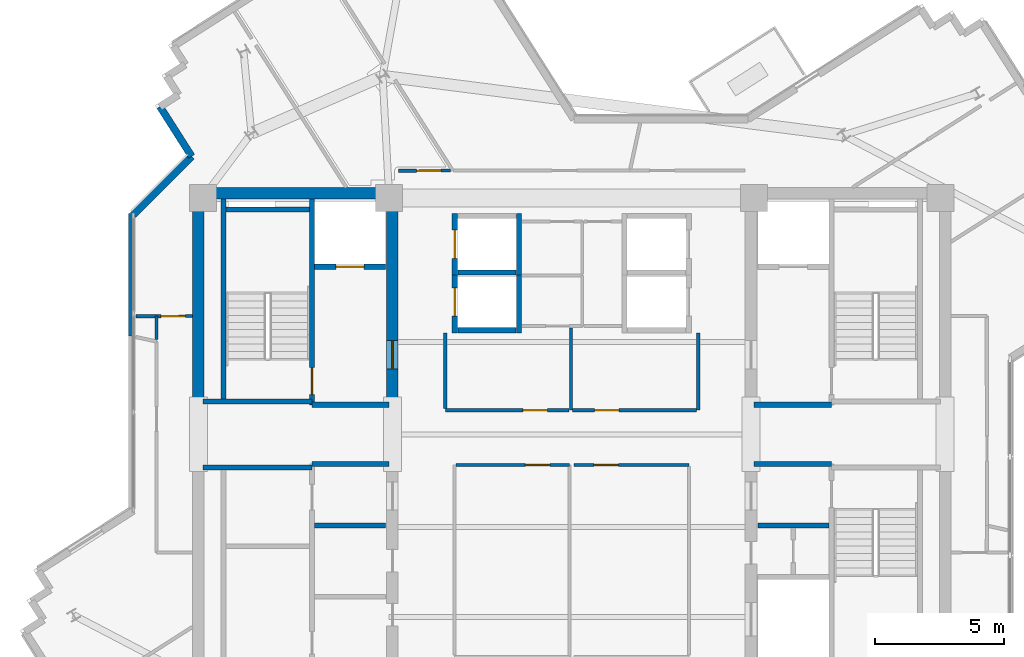
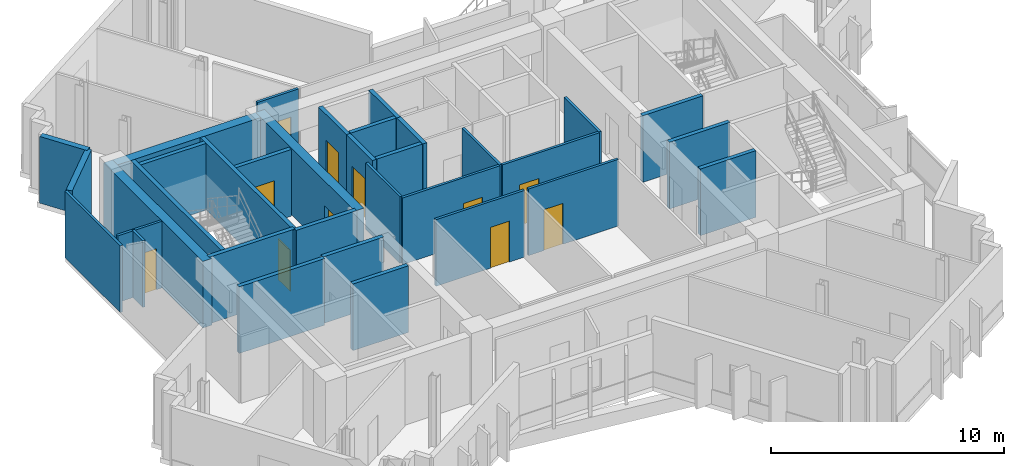
# One storey, part 6 of 12: 34 walls, 11 doors, 11 openings.
"""IFC4 building model written with IfcOpenShell, lengths in metres."""

import ifcopenshell
import ifcopenshell.guid

model = None  # the IFC model being written
_history = None  # IfcOwnerHistory: only IFC2X3 demands one
_inside = {}  # id of a spatial element -> (the spatial element, [elements in it])
_under = {}  # id of a project, library or spatial element -> (it, [spatial elements below it])
_declared = {}  # id of a project -> (the project, [libraries it declares])
_typed = {}  # id of a type object -> (the type object, [elements of that type])
_made_of = {}  # id of a material, layer set ... -> (it, [elements and type objects made of it])


def new_model(schema):
    """Start an empty IFC model of exactly this schema.

    Asked for "IFC4X3", IfcOpenShell would pick the latest addendum, in which some entities
    have other attributes; the version numbers below select the first issue.
    IFC2X3 requires an IfcOwnerHistory on every rooted entity: one is made here for all.
    """
    global model, _history
    if schema == "IFC4X3":
        model = ifcopenshell.file(schema_version=(4, 3, 0, 0))
    else:
        model = ifcopenshell.file(schema=schema)
    _inside.clear()
    _under.clear()
    _declared.clear()
    _typed.clear()
    _made_of.clear()
    _history = None
    if model.schema == "IFC2X3":
        org = make("IfcOrganization", Name="unknown")
        user = make(
            "IfcPersonAndOrganization",
            ThePerson=make("IfcPerson", FamilyName="unknown"),
            TheOrganization=org,
        )
        app = make(
            "IfcApplication",
            ApplicationDeveloper=org,
            Version="unknown",
            ApplicationFullName="unknown",
            ApplicationIdentifier="unknown",
        )
        _history = make(
            "IfcOwnerHistory",
            OwningUser=user,
            OwningApplication=app,
            ChangeAction="ADDED",
            CreationDate=0,
        )
    return model


def make(cls, **values):
    """One entity of the class cls with the attributes given. An attribute that is None is left unset."""
    return model.create_entity(
        cls, **{name: value for name, value in values.items() if value is not None}
    )


def rooted(cls, **values):
    """An entity with a GlobalId (a new one), such as an element, a storey or a relation."""
    return make(cls, GlobalId=ifcopenshell.guid.new(), OwnerHistory=_history, **values)


def si_unit(unit_type, name, prefix=None):
    """IfcSIUnit, for example si_unit("LENGTHUNIT", "METRE", prefix="MILLI")."""
    return make("IfcSIUnit", UnitType=unit_type, Prefix=prefix, Name=name)


def assignment(units):
    """IfcUnitAssignment: the units of a project."""
    return None if units is None else make("IfcUnitAssignment", Units=units)


def point(xyz):
    """IfcCartesianPoint."""
    return None if xyz is None else make("IfcCartesianPoint", Coordinates=xyz)


def direction(xyz):
    """IfcDirection."""
    return None if xyz is None else make("IfcDirection", DirectionRatios=xyz)


def frame(location, z_axis=None, x_axis=None):
    """IfcAxis2Placement3D, a coordinate frame: its origin and axes. An axis left out is left unset."""
    return make(
        "IfcAxis2Placement3D",
        Location=point(location),
        Axis=direction(z_axis),
        RefDirection=direction(x_axis),
    )


def frame_2d(location, x_axis=None):
    """IfcAxis2Placement2D, a coordinate frame in the plane: its origin and x axis."""
    return make(
        "IfcAxis2Placement2D", Location=point(location), RefDirection=direction(x_axis)
    )


def origin():
    """The frame at (0, 0, 0) with its axes left unset."""
    return frame((0.0, 0.0, 0.0))


def place(relative_to, where):
    """IfcLocalPlacement: puts the frame where relative to a parent placement (None: the world)."""
    return make(
        "IfcLocalPlacement", PlacementRelTo=relative_to, RelativePlacement=where
    )


def context(
    kind, dimensions, precision=None, world=None, true_north=None, identifier=None
):
    """IfcGeometricRepresentationContext, for example the 3D "Model" context."""
    return make(
        "IfcGeometricRepresentationContext",
        ContextIdentifier=identifier,
        ContextType=kind,
        CoordinateSpaceDimension=dimensions,
        Precision=precision,
        WorldCoordinateSystem=world,
        TrueNorth=true_north,
    )


def subcontext(parent, identifier, kind, view, scale=None):
    """IfcGeometricRepresentationSubContext, for example "Body" below "Model"."""
    return make(
        "IfcGeometricRepresentationSubContext",
        ContextIdentifier=identifier,
        ContextType=kind,
        ParentContext=parent,
        TargetScale=scale,
        TargetView=view,
    )


def project(units=None, contexts=None):
    """IfcProject with its units and contexts."""
    return rooted(
        "IfcProject",
        Name="project",
        RepresentationContexts=contexts,
        UnitsInContext=assignment(units),
    )


def spatial(cls, under=None, at=None, **own):
    """A site, building, storey or space (cls), placed at a placement, below another one or the project."""
    s = rooted(cls, ObjectPlacement=at, **own)
    if under is not None:
        _under.setdefault(under.id(), (under, []))[1].append(s)
    return s


def profile(cls, at=None, kind="AREA", **sizes):
    """A parametric profile (cls). Its sizes go by their IFC names, for example OverallWidth=200.0."""
    return make(cls, ProfileType=kind, Position=at, **sizes)


def rectangle(**sizes):
    """IfcRectangleProfileDef."""
    return profile("IfcRectangleProfileDef", **sizes)


def extrude(swept, where, along, depth):
    """IfcExtrudedAreaSolid: the profile swept, set in the frame where, extruded along a direction by depth."""
    return make(
        "IfcExtrudedAreaSolid",
        SweptArea=swept,
        Position=where,
        ExtrudedDirection=direction(along),
        Depth=depth,
    )


def shape(context_of_items, identifier, shape_type, items):
    """IfcShapeRepresentation: the items that make up one representation, for example the "Body"."""
    return make(
        "IfcShapeRepresentation",
        ContextOfItems=context_of_items,
        RepresentationIdentifier=identifier,
        RepresentationType=shape_type,
        Items=items,
    )


def source(mapping_origin, context_of_items, identifier, shape_type, items):
    """IfcRepresentationMap: a shape defined once, which mapped items show again and again."""
    return make(
        "IfcRepresentationMap",
        MappingOrigin=mapping_origin,
        MappedRepresentation=shape(context_of_items, identifier, shape_type, items),
    )


def transform(
    local_origin,
    x_axis=None,
    y_axis=None,
    z_axis=None,
    scale=None,
    scale2=None,
    scale3=None,
    uniform=True,
):
    """IfcCartesianTransformationOperator3D, or its non-uniform kind. x_axis, y_axis, z_axis: its Axis1, 2, 3."""
    if uniform:
        return make(
            "IfcCartesianTransformationOperator3D",
            Axis1=direction(x_axis),
            Axis2=direction(y_axis),
            LocalOrigin=point(local_origin),
            Scale=scale,
            Axis3=direction(z_axis),
        )
    return make(
        "IfcCartesianTransformationOperator3DnonUniform",
        Axis1=direction(x_axis),
        Axis2=direction(y_axis),
        LocalOrigin=point(local_origin),
        Scale=scale,
        Axis3=direction(z_axis),
        Scale2=scale2,
        Scale3=scale3,
    )


def mapped(mapping_source, mapping_target):
    """IfcMappedItem: shows the shape of a source again, moved by a transform."""
    return make(
        "IfcMappedItem", MappingSource=mapping_source, MappingTarget=mapping_target
    )


def material(Name=None, Category=None):
    """IfcMaterial."""
    return make("IfcMaterial", Name=Name, Category=Category)


def layer(
    of_material, thickness, ventilated=None, Name=None, Category=None, Priority=None
):
    """IfcMaterialLayer: one layer of a wall or slab, of a material (None: an air gap)."""
    return make(
        "IfcMaterialLayer",
        Material=of_material,
        LayerThickness=thickness,
        IsVentilated=ventilated,
        Name=Name,
        Category=Category,
        Priority=Priority,
    )


def layer_set(layers, Name=None):
    """IfcMaterialLayerSet."""
    return make("IfcMaterialLayerSet", MaterialLayers=layers, LayerSetName=Name)


def made_of(thing, what):
    """Note that an element or type object is made of a material, layer set ...; save() writes the relation."""
    if what is not None:
        _made_of.setdefault(what.id(), (what, []))[1].append(thing)
    return thing


def type_object(cls, material=None, **own):
    """A type object (cls), such as IfcWallType, which elements share."""
    return made_of(rooted(cls, **own), material)


def element(
    cls,
    number,
    at=None,
    inside=None,
    cuts=None,
    type_object=None,
    material=None,
    context=None,
    identifier="Body",
    shape_type=None,
    held_by="IfcProductDefinitionShape",
    body=None,
    shapes=None,
    **own,
):
    """One element of the class cls, such as IfcWall. Its Tag is "e" and its number.

    at: its placement. inside: the storey or other place that contains it. cuts: it is an
    opening in that element (IfcRelVoidsElement). A single representation is given by context,
    identifier, shape_type and body (its items); several are given by shapes. held_by: the class
    of the entity that holds the representations. save() writes the other relations.
    """
    e = rooted(cls, Tag="e%d" % number, ObjectPlacement=at, **own)
    if body is not None:
        shapes = [shape(context, identifier, shape_type, body)]
    if shapes is not None:
        e.Representation = make(held_by, Representations=shapes)
    if inside is not None:
        _inside.setdefault(inside.id(), (inside, []))[1].append(e)
    if cuts is not None:
        rooted(
            "IfcRelVoidsElement", RelatingBuildingElement=cuts, RelatedOpeningElement=e
        )
    if type_object is not None:
        _typed.setdefault(type_object.id(), (type_object, []))[1].append(e)
    return made_of(e, material)


def fill(opening, filler):
    """IfcRelFillsElement: the door or window that sits in an opening."""
    return rooted(
        "IfcRelFillsElement",
        RelatingOpeningElement=opening,
        RelatedBuildingElement=filler,
    )


def aggregate(whole, parts):
    """IfcRelAggregates: a whole, such as a stair, and the parts it consists of."""
    return rooted("IfcRelAggregates", RelatingObject=whole, RelatedObjects=parts)


def save(model, path):
    """Write the relations noted so far, then the file.

    IfcRelAggregates (storeys below a building ...), IfcRelContainedInSpatialStructure (elements
    in a storey), IfcRelDefinesByType, IfcRelAssociatesMaterial and IfcRelDeclares: one each for
    every whole, place, type object, material and project.
    """
    for whole, parts in _under.values():
        aggregate(whole, parts)
    for where, things in _inside.values():
        rooted(
            "IfcRelContainedInSpatialStructure",
            RelatedElements=things,
            RelatingStructure=where,
        )
    for kind, things in _typed.values():
        rooted("IfcRelDefinesByType", RelatedObjects=things, RelatingType=kind)
    for what, things in _made_of.values():
        rooted("IfcRelAssociatesMaterial", RelatedObjects=things, RelatingMaterial=what)
    for by, libraries in _declared.values():
        rooted("IfcRelDeclares", RelatingContext=by, RelatedDefinitions=libraries)
    model.write(path)


model = new_model("IFC4")

# Units and contexts
model_context = context("Model", 3, precision=1e-05, world=origin(), true_north=direction((0.0, 1.0)))
body_context = subcontext(model_context, "Body", "Model", "MODEL_VIEW")
ifc_project = project(units=[si_unit("LENGTHUNIT", "METRE"), si_unit("AREAUNIT", "SQUARE_METRE"), si_unit("VOLUMEUNIT", "CUBIC_METRE"), si_unit("PLANEANGLEUNIT", "RADIAN"), si_unit("MASSUNIT", "GRAM", prefix="KILO")], contexts=[model_context])

# Site, building, storey
site_placement = place(None, origin())
site = spatial("IfcSite", under=ifc_project, at=site_placement, CompositionType="ELEMENT")
building_placement = place(site_placement, origin())
building = spatial("IfcBuilding", under=site, at=building_placement, Name="Zahravan Cultural Tower", CompositionType="ELEMENT")
storey_placement = place(building_placement, frame((0.0, 0.0, 265.35009765625)))
storey = spatial("IfcBuildingStorey", under=building, at=storey_placement, Name="L63", CompositionType="ELEMENT", Elevation=265.35009765625)

# Wall, opening, door
ifc_material_1 = material(Name="Concrete C50/60", Category="concrete")
ifc_layer_1 = layer(ifc_material_1, 0.449951171875)
ifc_layer_set_1 = layer_set([ifc_layer_1], Name="Concrete C50/60")
wall_type_1 = type_object("IfcWallType", Name="CW-SHEAR-450-C50", PredefinedType="SHEAR", material=ifc_layer_set_1)
wall_1_placement = place(storey_placement, frame((29.02490234375, 28.050048828125, 0.0), z_axis=(0.0, 0.0, 1.0), x_axis=(0.0, 1.0, 0.0)))
wall_1 = element("IfcWall", 1, at=wall_1_placement, inside=storey, type_object=wall_type_1, Name="L63 Core Shear Wall CW-W-EN-L63", PredefinedType="SHEAR", context=body_context, shape_type="SweptSolid", body=[
    extrude(rectangle(XDim=8.550048828125, YDim=0.449951171875, at=frame_2d((4.27490234375, 0.0))), origin(), (0.0, 0.0, 1.0), 3.5),
])
opening_1_placement = place(wall_1_placement, frame((1.5, 0.0, 0.0)))
opening_1 = element("IfcOpeningElement", 2, at=opening_1_placement, cuts=wall_1, Name="Opening D-L63-06", PredefinedType="OPENING", context=body_context, shape_type="SweptSolid", body=[
    extrude(rectangle(XDim=1.10009765625, YDim=2.199951171875, at=frame_2d((0.550048828125, 1.10009765625))), frame((0.0, 0.23486328125, 0.0), z_axis=(0.0, -1.0, 0.0), x_axis=(1.0, 0.0, 0.0)), (0.0, 0.0, 1.0), 0.469970703125),
])
ifc_material_2 = material(Name="Steel ASTM A572 Grade 50", Category="steel")
door_type_1 = type_object("IfcDoorType", Name="DR-LOBBY-1100", OperationType="NOTDEFINED", PredefinedType="DOOR", material=ifc_material_2)
shared_shape_1 = source(origin(), body_context, "Body", "SweptSolid", [
    extrude(rectangle(XDim=1.10009765625, YDim=2.199951171875, at=frame_2d((0.550048828125, 1.10009765625))), frame((0.0, 0.02490234375, 0.0), z_axis=(0.0, -1.0, 0.0), x_axis=(1.0, 0.0, 0.0)), (0.0, 0.0, 1.0), 0.050048828125),
])
door_1_placement = place(opening_1_placement, origin())
door_1 = element("IfcDoor", 3, at=door_1_placement, inside=storey, type_object=door_type_1, Name="L63 Door D-L63-06", OperationType="SINGLE_SWING_LEFT", OverallHeight=2.199951171875, OverallWidth=1.10009765625, PredefinedType="DOOR", context=body_context, shape_type="MappedRepresentation", body=[
    mapped(shared_shape_1, transform((0.0, 0.0, 0.0), x_axis=(1.0, 0.0, 0.0), y_axis=(0.0, 1.0, 0.0), z_axis=(0.0, 0.0, 1.0), scale=1.0)),
])
fill(opening_1, door_1)

ifc_material_3 = material(Name="Gypsum plasterboard partition")
ifc_layer_2 = layer(ifc_material_3, 0.125)
ifc_layer_set_2 = layer_set([ifc_layer_2], Name="Gypsum plasterboard partition")
wall_type_2 = type_object("IfcWallType", Name="W-PART-125", PredefinedType="PARTITIONING", material=ifc_layer_set_2)
wall_2_placement = place(storey_placement, frame((35.902587890625, 27.93994140625, 0.0), z_axis=(0.0, 0.0, 1.0), x_axis=(-1.0, 0.0, 0.0)))
wall_2 = element("IfcWall", 4, at=wall_2_placement, inside=storey, type_object=wall_type_2, Name="L63 Interior Wall 051", PredefinedType="PARTITIONING", context=body_context, shape_type="SweptSolid", body=[
    extrude(rectangle(XDim=4.822509765625, YDim=0.125, at=frame_2d((2.4111328125, 0.0))), origin(), (0.0, 0.0, 1.0), 3.5),
])
opening_2_placement = place(wall_2_placement, frame((0.85205078125, 0.0, 0.0)))
opening_2 = element("IfcOpeningElement", 5, at=opening_2_placement, cuts=wall_2, Name="Opening D-L63-18", PredefinedType="OPENING", context=body_context, shape_type="SweptSolid", body=[
    extrude(rectangle(XDim=0.949951171875, YDim=2.14990234375, at=frame_2d((0.47509765625, 1.074951171875))), frame((0.0, 0.072509765625, 0.0), z_axis=(0.0, -1.0, 0.0), x_axis=(1.0, 0.0, 0.0)), (0.0, 0.0, 1.0), 0.14501953125),
])
ifc_material_4 = material(Name="Anodised bronze-aluminium mullion", Category="aluminium")
door_type_2 = type_object("IfcDoorType", Name="DR-ROOM-950", OperationType="NOTDEFINED", PredefinedType="DOOR", material=ifc_material_4)
shared_shape_2 = source(origin(), body_context, "Body", "SweptSolid", [
    extrude(rectangle(XDim=0.949951171875, YDim=2.14990234375, at=frame_2d((0.47509765625, 1.074951171875))), frame((0.0, 0.02490234375, 0.0), z_axis=(0.0, -1.0, 0.0), x_axis=(1.0, 0.0, 0.0)), (0.0, 0.0, 1.0), 0.050048828125),
])
door_2_placement = place(opening_2_placement, origin())
door_2 = element("IfcDoor", 6, at=door_2_placement, inside=storey, type_object=door_type_2, Name="L63 Door D-L63-18", OperationType="SINGLE_SWING_LEFT", OverallHeight=2.14990234375, OverallWidth=0.949951171875, PredefinedType="DOOR", context=body_context, shape_type="MappedRepresentation", body=[
    mapped(shared_shape_2, transform((0.0, 0.0, 0.0), x_axis=(1.0, 0.0, 0.0), y_axis=(0.0, 1.0, 0.0), z_axis=(0.0, 0.0, 1.0), scale=1.0)),
])
fill(opening_2, door_2)

wall_3_placement = place(storey_placement, frame((40.8525390625, 27.93994140625, 0.0), z_axis=(0.0, 0.0, 1.0), x_axis=(-1.0, 0.0, 0.0)))
wall_3 = element("IfcWall", 7, at=wall_3_placement, inside=storey, type_object=wall_type_2, Name="L63 Interior Wall 054", PredefinedType="PARTITIONING", context=body_context, shape_type="SweptSolid", body=[
    extrude(rectangle(XDim=4.81494140625, YDim=0.125, at=frame_2d((2.407470703125, 0.0))), origin(), (0.0, 0.0, 1.0), 3.5),
])
opening_3_placement = place(wall_3_placement, frame((3.0146484375, 0.0, 0.0)))
opening_3 = element("IfcOpeningElement", 8, at=opening_3_placement, cuts=wall_3, Name="Opening D-L63-19", PredefinedType="OPENING", context=body_context, shape_type="SweptSolid", body=[
    extrude(rectangle(XDim=0.949951171875, YDim=2.14990234375, at=frame_2d((0.47509765625, 1.074951171875))), frame((0.0, 0.072509765625, 0.0), z_axis=(0.0, -1.0, 0.0), x_axis=(1.0, 0.0, 0.0)), (0.0, 0.0, 1.0), 0.14501953125),
])
door_3_placement = place(opening_3_placement, origin())
door_3 = element("IfcDoor", 9, at=door_3_placement, inside=storey, type_object=door_type_2, Name="L63 Door D-L63-19", OperationType="SINGLE_SWING_RIGHT", OverallHeight=2.14990234375, OverallWidth=0.949951171875, PredefinedType="DOOR", context=body_context, shape_type="MappedRepresentation", body=[
    mapped(shared_shape_2, transform((0.0, 0.0, 0.0), x_axis=(1.0, 0.0, 0.0), y_axis=(0.0, 1.0, 0.0), z_axis=(0.0, 0.0, 1.0), scale=1.0)),
])
fill(opening_3, door_3)

wall_4_placement = place(storey_placement, frame((31.507568359375, 25.81005859375, 0.0), z_axis=(0.0, 0.0, 1.0), x_axis=(1.0, 0.0, 0.0)))
wall_4 = element("IfcWall", 10, at=wall_4_placement, inside=storey, type_object=wall_type_2, Name="L63 Interior Wall 071", PredefinedType="PARTITIONING", context=body_context, shape_type="SweptSolid", body=[
    extrude(rectangle(XDim=4.40234375, YDim=0.125, at=frame_2d((2.201171875, 0.0))), origin(), (0.0, 0.0, 1.0), 3.5),
])
opening_4_placement = place(wall_4_placement, frame((2.69287109375, 0.0, 0.0)))
opening_4 = element("IfcOpeningElement", 11, at=opening_4_placement, cuts=wall_4, Name="Opening D-L63-14", PredefinedType="OPENING", context=body_context, shape_type="SweptSolid", body=[
    extrude(rectangle(XDim=0.949951171875, YDim=2.14990234375, at=frame_2d((0.47509765625, 1.074951171875))), frame((0.0, 0.072509765625, 0.0), z_axis=(0.0, -1.0, 0.0), x_axis=(1.0, 0.0, 0.0)), (0.0, 0.0, 1.0), 0.14501953125),
])
door_4_placement = place(opening_4_placement, origin())
door_4 = element("IfcDoor", 12, at=door_4_placement, inside=storey, type_object=door_type_2, Name="L63 Door D-L63-14", OperationType="SINGLE_SWING_LEFT", OverallHeight=2.14990234375, OverallWidth=0.949951171875, PredefinedType="DOOR", context=body_context, shape_type="MappedRepresentation", body=[
    mapped(shared_shape_2, transform((0.0, 0.0, 0.0), x_axis=(1.0, 0.0, 0.0), y_axis=(0.0, 1.0, 0.0), z_axis=(0.0, 0.0, 1.0), scale=1.0)),
])
fill(opening_4, door_4)

wall_5_placement = place(storey_placement, frame((36.090087890625, 25.81005859375, 0.0), z_axis=(0.0, 0.0, 1.0), x_axis=(1.0, 0.0, 0.0)))
wall_5 = element("IfcWall", 13, at=wall_5_placement, inside=storey, type_object=wall_type_2, Name="L63 Interior Wall 074", PredefinedType="PARTITIONING", context=body_context, shape_type="SweptSolid", body=[
    extrude(rectangle(XDim=4.469970703125, YDim=0.125, at=frame_2d((2.23486328125, 0.0))), origin(), (0.0, 0.0, 1.0), 3.5),
])
opening_5_placement = place(wall_5_placement, frame((0.7744140625, 0.0, 0.0)))
opening_5 = element("IfcOpeningElement", 14, at=opening_5_placement, cuts=wall_5, Name="Opening D-L63-15", PredefinedType="OPENING", context=body_context, shape_type="SweptSolid", body=[
    extrude(rectangle(XDim=0.949951171875, YDim=2.14990234375, at=frame_2d((0.47509765625, 1.074951171875))), frame((0.0, 0.072509765625, 0.0), z_axis=(0.0, -1.0, 0.0), x_axis=(1.0, 0.0, 0.0)), (0.0, 0.0, 1.0), 0.14501953125),
])
door_5_placement = place(opening_5_placement, origin())
door_5 = element("IfcDoor", 15, at=door_5_placement, inside=storey, type_object=door_type_2, Name="L63 Door D-L63-15", OperationType="SINGLE_SWING_RIGHT", OverallHeight=2.14990234375, OverallWidth=0.949951171875, PredefinedType="DOOR", context=body_context, shape_type="MappedRepresentation", body=[
    mapped(shared_shape_2, transform((0.0, 0.0, 0.0), x_axis=(1.0, 0.0, 0.0), y_axis=(0.0, 1.0, 0.0), z_axis=(0.0, 0.0, 1.0), scale=1.0)),
])
fill(opening_5, door_5)

wall_6_placement = place(storey_placement, frame((31.29248046875, 37.260009765625, 0.0), z_axis=(0.0, 0.0, 1.0), x_axis=(-0.999999820546, -0.000599089277, 0.0)))
wall_6 = element("IfcWall", 16, at=wall_6_placement, inside=storey, type_object=wall_type_2, Name="L63 Interior Wall 077", PredefinedType="PARTITIONING", context=body_context, shape_type="SweptSolid", body=[
    extrude(rectangle(XDim=2.03759765625, YDim=0.125, at=frame_2d((1.018798828125, 0.0))), origin(), (0.0, 0.0, 1.0), 3.5),
])
opening_6_placement = place(wall_6_placement, frame((0.380615234375, 0.0, 0.0)))
opening_6 = element("IfcOpeningElement", 17, at=opening_6_placement, cuts=wall_6, Name="Opening D-L63-23", PredefinedType="OPENING", context=body_context, shape_type="SweptSolid", body=[
    extrude(rectangle(XDim=0.949951171875, YDim=2.14990234375, at=frame_2d((0.47509765625, 1.074951171875))), frame((0.0, 0.072509765625, 0.0), z_axis=(0.0, -1.0, 0.0), x_axis=(1.0, 0.0, 0.0)), (0.0, 0.0, 1.0), 0.14501953125),
])
door_6_placement = place(opening_6_placement, origin())
door_6 = element("IfcDoor", 18, at=door_6_placement, inside=storey, type_object=door_type_2, Name="L63 Door D-L63-23", OperationType="SINGLE_SWING_RIGHT", OverallHeight=2.14990234375, OverallWidth=0.949951171875, PredefinedType="DOOR", context=body_context, shape_type="MappedRepresentation", body=[
    mapped(shared_shape_2, transform((0.0, 0.0, 0.0), x_axis=(1.0, 0.0, 0.0), y_axis=(0.0, 1.0, 0.0), z_axis=(0.0, 0.0, 1.0), scale=1.0)),
])
fill(opening_6, door_6)

wall_7_placement = place(storey_placement, frame((21.2451171875, 31.599853515625, 0.0), z_axis=(0.0, 0.0, 1.0), x_axis=(-0.999998798684, -0.001550042425, 0.0)))
wall_7 = element("IfcWall", 19, at=wall_7_placement, inside=storey, type_object=wall_type_2, Name="L63 Interior Wall 089", PredefinedType="PARTITIONING", context=body_context, shape_type="SweptSolid", body=[
    extrude(rectangle(XDim=2.205078125, YDim=0.125, at=frame_2d((1.1025390625, 0.0))), origin(), (0.0, 0.0, 1.0), 3.5),
])
opening_7_placement = place(wall_7_placement, frame((0.276123046875, 0.0, 0.0)))
opening_7 = element("IfcOpeningElement", 20, at=opening_7_placement, cuts=wall_7, Name="Opening D-L63-24", PredefinedType="OPENING", context=body_context, shape_type="SweptSolid", body=[
    extrude(rectangle(XDim=0.949951171875, YDim=2.14990234375, at=frame_2d((0.47509765625, 1.074951171875))), frame((0.0, 0.072509765625, 0.0), z_axis=(0.0, -1.0, 0.0), x_axis=(1.0, 0.0, 0.0)), (0.0, 0.0, 1.0), 0.14501953125),
])
door_7_placement = place(opening_7_placement, origin())
door_7 = element("IfcDoor", 21, at=door_7_placement, inside=storey, type_object=door_type_2, Name="L63 Door D-L63-24", OperationType="SINGLE_SWING_LEFT", OverallHeight=2.14990234375, OverallWidth=0.949951171875, PredefinedType="DOOR", context=body_context, shape_type="MappedRepresentation", body=[
    mapped(shared_shape_2, transform((0.0, 0.0, 0.0), x_axis=(1.0, 0.0, 0.0), y_axis=(0.0, 1.0, 0.0), z_axis=(0.0, 0.0, 1.0), scale=1.0)),
])
fill(opening_7, door_7)

ifc_material_5 = material(Name="Concrete C45/55", Category="concrete")
ifc_layer_3 = layer(ifc_material_5, 0.199951171875)
ifc_layer_set_3 = layer_set([ifc_layer_3], Name="Concrete C45/55")
wall_type_3 = type_object("IfcWallType", Name="W-SHAFT-200", PredefinedType="SOLIDWALL", material=ifc_layer_set_3)
wall_8_placement = place(storey_placement, frame((25.89990234375, 28.14990234375, 0.0), z_axis=(0.0, 0.0, 1.0), x_axis=(0.0, 1.0, 0.0)))
wall_8 = element("IfcWall", 22, at=wall_8_placement, inside=storey, type_object=wall_type_3, Name="L63 Interior Wall 006", PredefinedType="SOLIDWALL", context=body_context, shape_type="SweptSolid", body=[
    extrude(rectangle(XDim=8.0, YDim=0.199951171875, at=frame_2d((4.0, 0.0))), origin(), (0.0, 0.0, 1.0), 3.5),
])
opening_8_placement = place(wall_8_placement, frame((0.39990234375, 0.0, 0.0)))
opening_8 = element("IfcOpeningElement", 23, at=opening_8_placement, cuts=wall_8, Name="Opening D-L63-01", PredefinedType="OPENING", context=body_context, shape_type="SweptSolid", body=[
    extrude(rectangle(XDim=1.050048828125, YDim=2.14990234375, at=frame_2d((0.52490234375, 1.074951171875))), frame((0.0, 0.10986328125, 0.0), z_axis=(0.0, -1.0, 0.0), x_axis=(1.0, 0.0, 0.0)), (0.0, 0.0, 1.0), 0.219970703125),
])
door_type_3 = type_object("IfcDoorType", Name="DR-STAIR-1050", OperationType="NOTDEFINED", PredefinedType="DOOR", material=ifc_material_2)
shared_shape_3 = source(origin(), body_context, "Body", "SweptSolid", [
    extrude(rectangle(XDim=1.050048828125, YDim=2.14990234375, at=frame_2d((0.52490234375, 1.074951171875))), frame((0.0, 0.02490234375, 0.0), z_axis=(0.0, -1.0, 0.0), x_axis=(1.0, 0.0, 0.0)), (0.0, 0.0, 1.0), 0.050048828125),
])
door_8_placement = place(opening_8_placement, origin())
door_8 = element("IfcDoor", 24, at=door_8_placement, inside=storey, type_object=door_type_3, Name="L63 Door D-L63-01", OperationType="SINGLE_SWING_RIGHT", OverallHeight=2.14990234375, OverallWidth=1.050048828125, PredefinedType="DOOR", context=body_context, shape_type="MappedRepresentation", body=[
    mapped(shared_shape_3, transform((0.0, 0.0, 0.0), x_axis=(1.0, 0.0, 0.0), y_axis=(0.0, 1.0, 0.0), z_axis=(0.0, 0.0, 1.0), scale=1.0)),
])
fill(opening_8, door_8)

wall_9_placement = place(storey_placement, frame((26.0, 33.52001953125, 0.0), z_axis=(0.0, 0.0, 1.0), x_axis=(1.0, 0.0, 0.0)))
wall_9 = element("IfcWall", 25, at=wall_9_placement, inside=storey, type_object=wall_type_3, Name="L63 Interior Wall 022", PredefinedType="SOLIDWALL", context=body_context, shape_type="SweptSolid", body=[
    extrude(rectangle(XDim=2.75, YDim=0.199951171875, at=frame_2d((1.375, 0.0))), origin(), (0.0, 0.0, 1.0), 3.5),
])
opening_9_placement = place(wall_9_placement, frame((0.820068359375, 0.0, 0.0)))
opening_9 = element("IfcOpeningElement", 26, at=opening_9_placement, cuts=wall_9, Name="Opening LD-L63-01", PredefinedType="OPENING", context=body_context, shape_type="SweptSolid", body=[
    extrude(rectangle(XDim=1.10009765625, YDim=2.14990234375, at=frame_2d((0.550048828125, 1.074951171875))), frame((0.0, 0.10986328125, 0.0), z_axis=(0.0, -1.0, 0.0), x_axis=(1.0, 0.0, 0.0)), (0.0, 0.0, 1.0), 0.219970703125),
])
door_type_4 = type_object("IfcDoorType", Name="DR-LIFT-1100", OperationType="DOUBLE_DOOR_SLIDING", PredefinedType="DOOR", material=ifc_material_2)
shared_shape_4 = source(origin(), body_context, "Body", "SweptSolid", [
    extrude(rectangle(XDim=1.10009765625, YDim=2.14990234375, at=frame_2d((0.550048828125, 1.074951171875))), frame((0.0, 0.02490234375, 0.0), z_axis=(0.0, -1.0, 0.0), x_axis=(1.0, 0.0, 0.0)), (0.0, 0.0, 1.0), 0.050048828125),
])
door_9_placement = place(opening_9_placement, origin())
door_9 = element("IfcDoor", 27, at=door_9_placement, inside=storey, type_object=door_type_4, Name="L63 Door LD-L63-01", OperationType="DOUBLE_DOOR_SLIDING", OverallHeight=2.14990234375, OverallWidth=1.10009765625, PredefinedType="DOOR", context=body_context, shape_type="MappedRepresentation", body=[
    mapped(shared_shape_4, transform((0.0, 0.0, 0.0), x_axis=(1.0, 0.0, 0.0), y_axis=(0.0, 1.0, 0.0), z_axis=(0.0, 0.0, 1.0), scale=1.0)),
])
fill(opening_9, door_9)

wall_10_placement = place(storey_placement, frame((31.449951171875, 33.199951171875, 0.0), z_axis=(0.0, 0.0, 1.0), x_axis=(0.0, 1.0, 0.0)))
wall_10 = element("IfcWall", 28, at=wall_10_placement, inside=storey, type_object=wall_type_3, Name="L63 Interior Wall 029", PredefinedType="SOLIDWALL", context=body_context, shape_type="SweptSolid", body=[
    extrude(rectangle(XDim=2.400146484375, YDim=0.199951171875, at=frame_2d((1.2001953125, 0.0))), origin(), (0.0, 0.0, 1.0), 3.5),
])
opening_10_placement = place(wall_10_placement, frame((0.64990234375, 0.0, 0.0)))
opening_10 = element("IfcOpeningElement", 29, at=opening_10_placement, cuts=wall_10, Name="Opening LD-L63-04", PredefinedType="OPENING", context=body_context, shape_type="SweptSolid", body=[
    extrude(rectangle(XDim=1.10009765625, YDim=2.14990234375, at=frame_2d((0.550048828125, 1.074951171875))), frame((0.0, 0.10986328125, 0.0), z_axis=(0.0, -1.0, 0.0), x_axis=(1.0, 0.0, 0.0)), (0.0, 0.0, 1.0), 0.219970703125),
])
door_10_placement = place(opening_10_placement, origin())
door_10 = element("IfcDoor", 30, at=door_10_placement, inside=storey, type_object=door_type_4, Name="L63 Door LD-L63-04", OperationType="DOUBLE_DOOR_SLIDING", OverallHeight=2.14990234375, OverallWidth=1.10009765625, PredefinedType="DOOR", context=body_context, shape_type="MappedRepresentation", body=[
    mapped(shared_shape_4, transform((0.0, 0.0, 0.0), x_axis=(1.0, 0.0, 0.0), y_axis=(0.0, 1.0, 0.0), z_axis=(0.0, 0.0, 1.0), scale=1.0)),
])
fill(opening_10, door_10)

wall_11_placement = place(storey_placement, frame((31.449951171875, 30.949951171875, 0.0), z_axis=(0.0, 0.0, 1.0), x_axis=(0.0, 1.0, 0.0)))
wall_11 = element("IfcWall", 31, at=wall_11_placement, inside=storey, type_object=wall_type_3, Name="L63 Interior Wall 033", PredefinedType="SOLIDWALL", context=body_context, shape_type="SweptSolid", body=[
    extrude(rectangle(XDim=2.400146484375, YDim=0.199951171875, at=frame_2d((1.2001953125, 0.0))), origin(), (0.0, 0.0, 1.0), 3.5),
])
opening_11_placement = place(wall_11_placement, frame((0.64990234375, 0.0, 0.0)))
opening_11 = element("IfcOpeningElement", 32, at=opening_11_placement, cuts=wall_11, Name="Opening LD-L63-05", PredefinedType="OPENING", context=body_context, shape_type="SweptSolid", body=[
    extrude(rectangle(XDim=1.10009765625, YDim=2.14990234375, at=frame_2d((0.550048828125, 1.074951171875))), frame((0.0, 0.10986328125, 0.0), z_axis=(0.0, -1.0, 0.0), x_axis=(1.0, 0.0, 0.0)), (0.0, 0.0, 1.0), 0.219970703125),
])
door_11_placement = place(opening_11_placement, origin())
door_11 = element("IfcDoor", 33, at=door_11_placement, inside=storey, type_object=door_type_4, Name="L63 Door LD-L63-05", OperationType="DOUBLE_DOOR_SLIDING", OverallHeight=2.14990234375, OverallWidth=1.10009765625, PredefinedType="DOOR", context=body_context, shape_type="MappedRepresentation", body=[
    mapped(shared_shape_4, transform((0.0, 0.0, 0.0), x_axis=(1.0, 0.0, 0.0), y_axis=(0.0, 1.0, 0.0), z_axis=(0.0, 0.0, 1.0), scale=1.0)),
])
fill(opening_11, door_11)

# Walls
shared_shape_5 = source(origin(), body_context, "Body", "SweptSolid", [
    extrude(rectangle(XDim=8.550048828125, YDim=0.449951171875, at=frame_2d((4.27490234375, 0.0))), origin(), (0.0, 0.0, 1.0), 3.5),
])
wall_12_placement = place(storey_placement, frame((21.47509765625, 28.050048828125, 0.0), z_axis=(0.0, 0.0, 1.0), x_axis=(0.0, 1.0, 0.0)))
element("IfcWall", 34, at=wall_12_placement, inside=storey, type_object=wall_type_1, Name="L63 Core Shear Wall CW-W-WN-L63", PredefinedType="SHEAR", context=body_context, shape_type="MappedRepresentation", body=[
    mapped(shared_shape_5, transform((0.0, 0.0, 0.0), x_axis=(1.0, 0.0, 0.0), y_axis=(0.0, 1.0, 0.0), z_axis=(0.0, 0.0, 1.0), scale=1.0)),
])
shared_shape_6 = source(origin(), body_context, "Body", "SweptSolid", [
    extrude(rectangle(XDim=7.10009765625, YDim=0.449951171875, at=frame_2d((3.550048828125, 0.0))), origin(), (0.0, 0.0, 1.0), 3.5),
])
wall_13_placement = place(storey_placement, frame((21.699951171875, 36.375, 0.0), z_axis=(0.0, 0.0, 1.0), x_axis=(1.0, 0.0, 0.0)))
element("IfcWall", 35, at=wall_13_placement, inside=storey, type_object=wall_type_1, Name="L63 Core Shear Wall CW-W-N-L63", PredefinedType="SHEAR", context=body_context, shape_type="MappedRepresentation", body=[
    mapped(shared_shape_6, transform((0.0, 0.0, 0.0), x_axis=(1.0, 0.0, 0.0), y_axis=(0.0, 1.0, 0.0), z_axis=(0.0, 0.0, 1.0), scale=1.0)),
])
ifc_material_6 = material(Name="Precast concrete C40/50", Category="concrete")
ifc_layer_4 = layer(ifc_material_6, 0.280029296875)
ifc_layer_set_4 = layer_set([ifc_layer_4], Name="Precast concrete C40/50")
wall_type_4 = type_object("IfcWallType", Name="EW-TC-280", PredefinedType="SOLIDWALL", material=ifc_layer_set_4)
shared_shape_7 = source(origin(), body_context, "Body", "SweptSolid", [
    extrude(rectangle(XDim=3.21484375, YDim=0.280029296875, at=frame_2d((1.607421875, 0.0))), origin(), (0.0, 0.0, 1.0), 3.5),
])
wall_14_placement = place(storey_placement, frame((18.93994140625, 35.5419921875, 0.0), z_axis=(0.0, 0.0, 1.0), x_axis=(0.707106781187, 0.707106781187, 0.0)))
element("IfcWall", 36, at=wall_14_placement, inside=storey, type_object=wall_type_4, Name="L63 Exterior Masonry Frame Wall 36", PredefinedType="SOLIDWALL", context=body_context, shape_type="MappedRepresentation", body=[
    mapped(shared_shape_7, transform((0.0, 0.0, 0.0), x_axis=(1.0, 0.0, 0.0), y_axis=(0.0, 1.0, 0.0), z_axis=(0.0, 0.0, 1.0), scale=1.0)),
])
shared_shape_8 = source(origin(), body_context, "Body", "SweptSolid", [
    extrude(rectangle(XDim=2.29345703125, YDim=0.280029296875, at=frame_2d((1.146728515625, 0.0))), origin(), (0.0, 0.0, 1.0), 3.5),
])
wall_15_placement = place(storey_placement, frame((21.213134765625, 37.815185546875, 0.0), z_axis=(0.0, 0.0, 1.0), x_axis=(-0.53726116654, 0.843415934713, 0.0)))
element("IfcWall", 37, at=wall_15_placement, inside=storey, type_object=wall_type_4, Name="L63 Exterior Masonry Frame Wall 37", PredefinedType="SOLIDWALL", context=body_context, shape_type="MappedRepresentation", body=[
    mapped(shared_shape_8, transform((0.0, 0.0, 0.0), x_axis=(1.0, 0.0, 0.0), y_axis=(0.0, 1.0, 0.0), z_axis=(0.0, 0.0, 1.0), scale=1.0)),
])
shared_shape_9 = source(origin(), body_context, "Body", "SweptSolid", [
    extrude(rectangle(XDim=7.869873046875, YDim=0.199951171875, at=frame_2d((3.93505859375, 0.0))), origin(), (0.0, 0.0, 1.0), 3.5),
])
wall_16_placement = place(storey_placement, frame((22.449951171875, 28.280029296875, 0.0), z_axis=(0.0, 0.0, 1.0), x_axis=(0.0, 1.0, 0.0)))
element("IfcWall", 38, at=wall_16_placement, inside=storey, type_object=wall_type_3, Name="L63 Interior Wall 002", PredefinedType="SOLIDWALL", context=body_context, shape_type="MappedRepresentation", body=[
    mapped(shared_shape_9, transform((0.0, 0.0, 0.0), x_axis=(1.0, 0.0, 0.0), y_axis=(0.0, 1.0, 0.0), z_axis=(0.0, 0.0, 1.0), scale=1.0)),
])
shared_shape_10 = source(origin(), body_context, "Body", "SweptSolid", [
    extrude(rectangle(XDim=4.25, YDim=0.199951171875, at=frame_2d((2.125, 0.0))), origin(), (0.0, 0.0, 1.0), 3.5),
])
for number, where, z_axis, x_axis, name in (
    (39, (21.64990234375, 25.715087890625, 0.0), (0.0, 0.0, 1.0), (1.0, 0.0, 0.0), "L63 Interior Wall 009"),
    (40, (21.64990234375, 28.284912109375, 0.0), (0.0, 0.0, 1.0), (1.0, 0.0, 0.0), "L63 Interior Wall 011"),
):
    element("IfcWall", number, at=place(storey_placement, frame(where, z_axis=z_axis, x_axis=x_axis)), inside=storey, type_object=wall_type_3, Name=name, PredefinedType="SOLIDWALL", context=body_context, shape_type="MappedRepresentation", body=[
        mapped(shared_shape_10, transform((0.0, 0.0, 0.0), x_axis=(1.0, 0.0, 0.0), y_axis=(0.0, 1.0, 0.0), z_axis=(0.0, 0.0, 1.0), scale=1.0)),
    ])
shared_shape_11 = source(origin(), body_context, "Body", "SweptSolid", [
    extrude(rectangle(XDim=3.0, YDim=0.199951171875, at=frame_2d((1.5, 0.0))), origin(), (0.0, 0.0, 1.0), 3.5),
])
for number, where, z_axis, x_axis, name in (
    (41, (25.89990234375, 25.85009765625, 0.0), (0.0, 0.0, 1.0), (1.0, 0.0, 0.0), "L63 Interior Wall 010"),
    (42, (25.89990234375, 28.14990234375, 0.0), (0.0, 0.0, 1.0), (1.0, 0.0, 0.0), "L63 Interior Wall 012"),
    (43, (43.10009765625, 25.85009765625, 0.0), (0.0, 0.0, 1.0), (1.0, 0.0, 0.0), "L63 Interior Wall 013"),
    (44, (43.10009765625, 28.14990234375, 0.0), (0.0, 0.0, 1.0), (1.0, 0.0, 0.0), "L63 Interior Wall 015"),
):
    element("IfcWall", number, at=place(storey_placement, frame(where, z_axis=z_axis, x_axis=x_axis)), inside=storey, type_object=wall_type_3, Name=name, PredefinedType="SOLIDWALL", context=body_context, shape_type="MappedRepresentation", body=[
        mapped(shared_shape_11, transform((0.0, 0.0, 0.0), x_axis=(1.0, 0.0, 0.0), y_axis=(0.0, 1.0, 0.0), z_axis=(0.0, 0.0, 1.0), scale=1.0)),
    ])
shared_shape_12 = source(origin(), body_context, "Body", "SweptSolid", [
    extrude(rectangle(XDim=3.25, YDim=0.199951171875, at=frame_2d((1.625, 0.0))), origin(), (0.0, 0.0, 1.0), 3.5),
])
wall_17_placement = place(storey_placement, frame((22.550048828125, 35.75, 0.0), z_axis=(0.0, 0.0, 1.0), x_axis=(1.0, 0.0, 0.0)))
element("IfcWall", 45, at=wall_17_placement, inside=storey, type_object=wall_type_3, Name="L63 Interior Wall 017", PredefinedType="SOLIDWALL", context=body_context, shape_type="MappedRepresentation", body=[
    mapped(shared_shape_12, transform((0.0, 0.0, 0.0), x_axis=(1.0, 0.0, 0.0), y_axis=(0.0, 1.0, 0.0), z_axis=(0.0, 0.0, 1.0), scale=1.0)),
])
shared_shape_13 = source(origin(), body_context, "Body", "SweptSolid", [
    extrude(rectangle(XDim=2.75, YDim=0.199951171875, at=frame_2d((1.375, 0.0))), origin(), (0.0, 0.0, 1.0), 3.5),
])
for number, where, z_axis, x_axis, name in (
    (46, (26.0, 23.449951171875, 0.0), (0.0, 0.0, 1.0), (1.0, 0.0, 0.0), "L63 Interior Wall 024"),
    (47, (43.25, 23.449951171875, 0.0), (0.0, 0.0, 1.0), (1.0, 0.0, 0.0), "L63 Interior Wall 025"),
):
    element("IfcWall", number, at=place(storey_placement, frame(where, z_axis=z_axis, x_axis=x_axis)), inside=storey, type_object=wall_type_3, Name=name, PredefinedType="SOLIDWALL", context=body_context, shape_type="MappedRepresentation", body=[
        mapped(shared_shape_13, transform((0.0, 0.0, 0.0), x_axis=(1.0, 0.0, 0.0), y_axis=(0.0, 1.0, 0.0), z_axis=(0.0, 0.0, 1.0), scale=1.0)),
    ])
shared_shape_14 = source(origin(), body_context, "Body", "SweptSolid", [
    extrude(rectangle(XDim=2.400146484375, YDim=0.199951171875, at=frame_2d((1.2001953125, 0.0))), origin(), (0.0, 0.0, 1.0), 3.5),
])
for number, where, z_axis, x_axis, name in (
    (48, (33.949951171875, 33.199951171875, 0.0), (0.0, 0.0, 1.0), (0.0, 1.0, 0.0), "L63 Interior Wall 030"),
    (49, (33.949951171875, 30.949951171875, 0.0), (0.0, 0.0, 1.0), (0.0, 1.0, 0.0), "L63 Interior Wall 034"),
):
    element("IfcWall", number, at=place(storey_placement, frame(where, z_axis=z_axis, x_axis=x_axis)), inside=storey, type_object=wall_type_3, Name=name, PredefinedType="SOLIDWALL", context=body_context, shape_type="MappedRepresentation", body=[
        mapped(shared_shape_14, transform((0.0, 0.0, 0.0), x_axis=(1.0, 0.0, 0.0), y_axis=(0.0, 1.0, 0.0), z_axis=(0.0, 0.0, 1.0), scale=1.0)),
    ])
shared_shape_15 = source(origin(), body_context, "Body", "SweptSolid", [
    extrude(rectangle(XDim=2.260009765625, YDim=0.199951171875, at=frame_2d((1.1298828125, 0.0))), origin(), (0.0, 0.0, 1.0), 3.5),
])
for number, where, z_axis, x_axis, name in (
    (50, (31.570068359375, 33.300048828125, 0.0), (0.0, 0.0, 1.0), (1.0, 0.0, 0.0), "L63 Interior Wall 031"),
    (51, (31.570068359375, 31.050048828125, 0.0), (0.0, 0.0, 1.0), (1.0, 0.0, 0.0), "L63 Interior Wall 035"),
):
    element("IfcWall", number, at=place(storey_placement, frame(where, z_axis=z_axis, x_axis=x_axis)), inside=storey, type_object=wall_type_3, Name=name, PredefinedType="SOLIDWALL", context=body_context, shape_type="MappedRepresentation", body=[
        mapped(shared_shape_15, transform((0.0, 0.0, 0.0), x_axis=(1.0, 0.0, 0.0), y_axis=(0.0, 1.0, 0.0), z_axis=(0.0, 0.0, 1.0), scale=1.0)),
    ])
shared_shape_16 = source(origin(), body_context, "Body", "SweptSolid", [
    extrude(rectangle(XDim=3.199951171875, YDim=0.125, at=frame_2d((1.60009765625, 0.0))), origin(), (0.0, 0.0, 1.0), 3.5),
])
wall_18_placement = place(storey_placement, frame((35.969970703125, 31.139892578125, 0.0), z_axis=(0.0, 0.0, 1.0), x_axis=(0.0, -1.0, 0.0)))
element("IfcWall", 52, at=wall_18_placement, inside=storey, type_object=wall_type_2, Name="L63 Interior Wall 050", PredefinedType="PARTITIONING", context=body_context, shape_type="MappedRepresentation", body=[
    mapped(shared_shape_16, transform((0.0, 0.0, 0.0), x_axis=(1.0, 0.0, 0.0), y_axis=(0.0, 1.0, 0.0), z_axis=(0.0, 0.0, 1.0), scale=1.0)),
])
shared_shape_17 = source(origin(), body_context, "Body", "SweptSolid", [
    extrude(rectangle(XDim=2.9423828125, YDim=0.125, at=frame_2d((1.47119140625, 0.0))), origin(), (0.0, 0.0, 1.0), 3.5),
])
wall_19_placement = place(storey_placement, frame((31.080078125, 28.007568359375, 0.0), z_axis=(0.0, 0.0, 1.0), x_axis=(0.0, 1.0, 0.0)))
element("IfcWall", 53, at=wall_19_placement, inside=storey, type_object=wall_type_2, Name="L63 Interior Wall 052", PredefinedType="PARTITIONING", context=body_context, shape_type="MappedRepresentation", body=[
    mapped(shared_shape_17, transform((0.0, 0.0, 0.0), x_axis=(1.0, 0.0, 0.0), y_axis=(0.0, 1.0, 0.0), z_axis=(0.0, 0.0, 1.0), scale=1.0)),
])
shared_shape_18 = source(origin(), body_context, "Body", "SweptSolid", [
    extrude(rectangle(XDim=3.010009765625, YDim=0.125, at=frame_2d((1.5048828125, 0.0))), origin(), (0.0, 0.0, 1.0), 3.5),
])
wall_20_placement = place(storey_placement, frame((40.919921875, 30.949951171875, 0.0), z_axis=(0.0, 0.0, 1.0), x_axis=(0.0, -1.0, 0.0)))
element("IfcWall", 54, at=wall_20_placement, inside=storey, type_object=wall_type_2, Name="L63 Interior Wall 053", PredefinedType="PARTITIONING", context=body_context, shape_type="MappedRepresentation", body=[
    mapped(shared_shape_18, transform((0.0, 0.0, 0.0), x_axis=(1.0, 0.0, 0.0), y_axis=(0.0, 1.0, 0.0), z_axis=(0.0, 0.0, 1.0), scale=1.0)),
])
shared_shape_19 = source(origin(), body_context, "Body", "SweptSolid", [
    extrude(rectangle(XDim=0.915771484375, YDim=0.125, at=frame_2d((0.4580078125, 0.0))), origin(), (0.0, 0.0, 1.0), 3.5),
])
wall_21_placement = place(storey_placement, frame((19.851318359375, 31.59765625, 0.0), z_axis=(0.0, 0.0, 1.0), x_axis=(-0.001332976688, -0.999999111586, 0.0)))
element("IfcWall", 55, at=wall_21_placement, inside=storey, type_object=wall_type_2, Name="L63 Interior Wall 087", PredefinedType="PARTITIONING", context=body_context, shape_type="MappedRepresentation", body=[
    mapped(shared_shape_19, transform((0.0, 0.0, 0.0), x_axis=(1.0, 0.0, 0.0), y_axis=(0.0, 1.0, 0.0), z_axis=(0.0, 0.0, 1.0), scale=1.0)),
])
shared_shape_20 = source(origin(), body_context, "Body", "SweptSolid", [
    extrude(rectangle(XDim=4.7568359375, YDim=0.125, at=frame_2d((2.37841796875, 0.0))), origin(), (0.0, 0.0, 1.0), 3.5),
])
wall_22_placement = place(storey_placement, frame((18.820068359375, 30.8349609375, 0.0), z_axis=(0.0, 0.0, 1.0), x_axis=(0.0, 1.0, 0.0)))
element("IfcWall", 56, at=wall_22_placement, inside=storey, type_object=wall_type_2, Name="L63 Interior Wall 088", PredefinedType="PARTITIONING", context=body_context, shape_type="MappedRepresentation", body=[
    mapped(shared_shape_20, transform((0.0, 0.0, 0.0), x_axis=(1.0, 0.0, 0.0), y_axis=(0.0, 1.0, 0.0), z_axis=(0.0, 0.0, 1.0), scale=1.0)),
])

save(model, "model.ifc")
